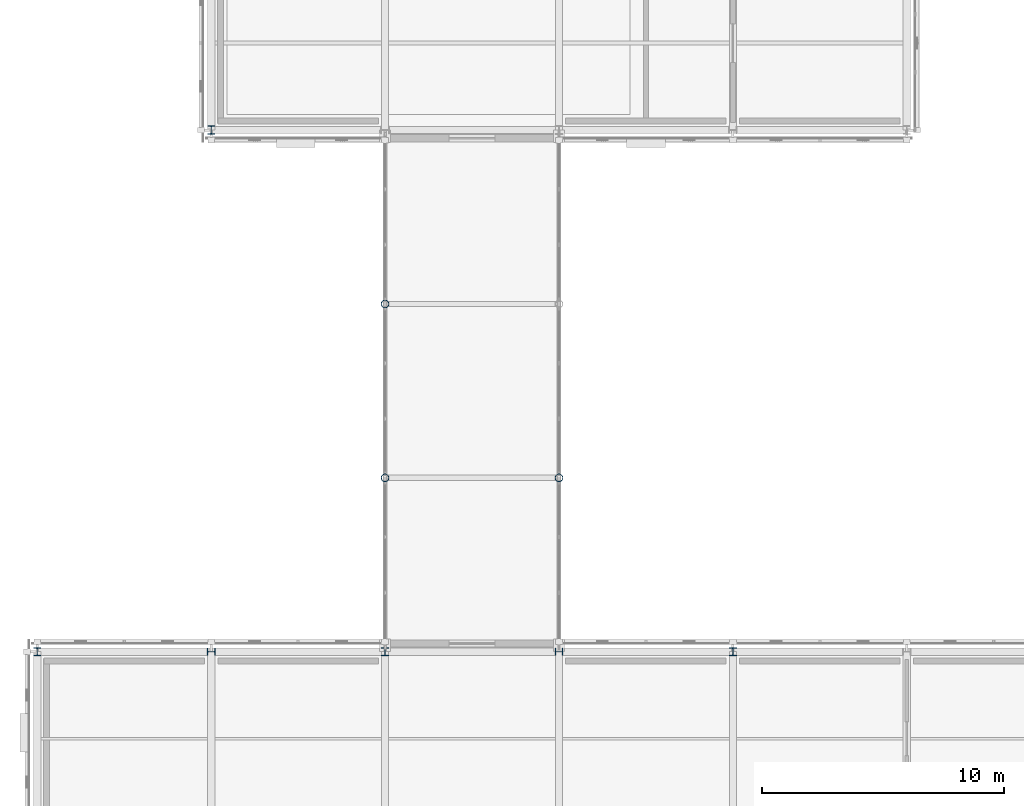
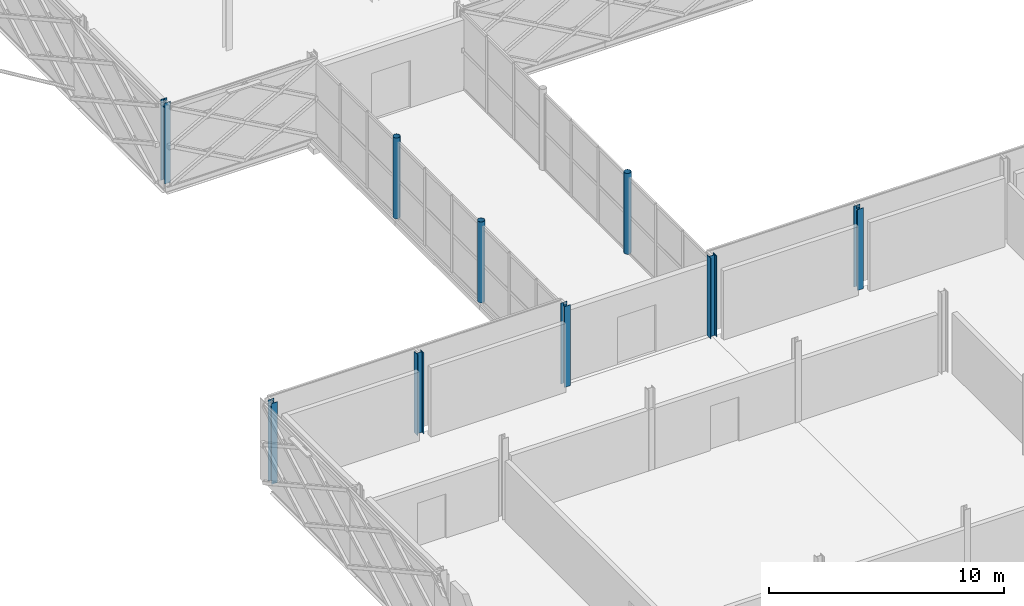
# One storey, part 3 of 146: 9 columns.
"""IFC4 building model written with IfcOpenShell, lengths in metres."""

from ifc_helpers import new_model, si_unit, direction, frame, origin, origin_2d, place, context, subcontext, project, spatial, hollow_circle, i_section, extrude, material, material_profile, profile_set, type_object, element, save


model = new_model("IFC4")

# Units and contexts
model_context = context("Model", 3, precision=1e-05, world=origin(), true_north=direction((0.0, 1.0)))
body_context = subcontext(model_context, "Body", "Model", "MODEL_VIEW")
ifc_project = project(units=[si_unit("LENGTHUNIT", "METRE"), si_unit("AREAUNIT", "SQUARE_METRE"), si_unit("VOLUMEUNIT", "CUBIC_METRE"), si_unit("PLANEANGLEUNIT", "RADIAN"), si_unit("MASSUNIT", "GRAM", prefix="KILO")], contexts=[model_context])

# Site, building, storey
site_placement = place(None, origin())
site = spatial("IfcSite", under=ifc_project, at=site_placement, CompositionType="ELEMENT")
building_placement = place(site_placement, origin())
building = spatial("IfcBuilding", under=site, at=building_placement, Name="Zlatovets Crest Museum", CompositionType="ELEMENT")
storey_placement = place(building_placement, frame((0.0, 0.0, 4.5)))
storey = spatial("IfcBuildingStorey", under=building, at=storey_placement, Name="L01", CompositionType="ELEMENT", Elevation=4.5)

# Columns
ifc_material = material(Name="Structural steel S355J2", Category="steel")
ifc_material_profile_1 = material_profile(ifc_material, hollow_circle(Radius=0.161865234375, WallThickness=0.012451171875, at=origin_2d()), Name="CHS 323.9x12.5")
ifc_profile_set_1 = profile_set([ifc_material_profile_1], Name="Structural steel S355J2")
column_type_1 = type_object("IfcColumnType", Name="Col_C-13", PredefinedType="COLUMN", material=ifc_profile_set_1)
for number, where, z_axis, x_axis, name in (
    (1, (14.39990234375, 36.0, 0.0), (0.0, 0.0, 1.0), (1.0, 0.0, 0.0), "West Hillside Glazed Link Bridge Portal Column"),
    (2, (21.60009765625, 36.0, 0.0), (0.0, 0.0, 1.0), (1.0, 0.0, 0.0), "West Hillside Glazed Link Bridge Portal Column"),
    (3, (14.39990234375, 43.199951171875, 0.0), (0.0, 0.0, 1.0), (1.0, 0.0, 0.0), "West Hillside Glazed Link Bridge Portal Column"),
):
    element("IfcColumn", number, at=place(storey_placement, frame(where, z_axis=z_axis, x_axis=x_axis)), inside=storey, type_object=column_type_1, Name=name, PredefinedType="COLUMN", context=body_context, shape_type="SweptSolid", body=[
        extrude(hollow_circle(Radius=0.161865234375, WallThickness=0.012451171875, at=origin_2d()), origin(), (0.0, 0.0, 1.0), 4.199951171875),
    ])
ifc_material_profile_2 = material_profile(ifc_material, i_section(OverallWidth=0.300048828125, OverallDepth=0.340087890625, WebThickness=0.011962890625, FlangeThickness=0.021484375, FilletRadius=0.027099609375, at=origin_2d()), Name="HEB 340")
ifc_profile_set_2 = profile_set([ifc_material_profile_2], Name="Structural steel S355J2")
column_type_2 = type_object("IfcColumnType", Name="Col_C-15", PredefinedType="COLUMN", material=ifc_profile_set_2)
column_placement = place(storey_placement, frame((7.199951171875, 50.39990234375, 0.0), z_axis=(0.0, 0.0, 1.0), x_axis=(1.0, 0.0, 0.0)))
element("IfcColumn", 4, at=column_placement, inside=storey, type_object=column_type_2, Name="V4 L01 Column (7.2, 50.4)", PredefinedType="COLUMN", context=body_context, shape_type="SweptSolid", body=[
    extrude(i_section(OverallWidth=0.300048828125, OverallDepth=0.340087890625, WebThickness=0.011962890625, FlangeThickness=0.021484375, FilletRadius=0.027099609375, at=origin_2d()), origin(), (0.0, 0.0, 1.0), 4.199951171875),
])
ifc_material_profile_3 = material_profile(ifc_material, i_section(OverallWidth=0.300048828125, OverallDepth=0.320068359375, WebThickness=0.011474609375, FlangeThickness=0.0205078125, FilletRadius=0.027099609375, at=origin_2d()), Name="HEB 320")
ifc_profile_set_3 = profile_set([ifc_material_profile_3], Name="Structural steel S355J2")
column_type_3 = type_object("IfcColumnType", Name="Col_C-16", PredefinedType="COLUMN", material=ifc_profile_set_3)
for number, where, z_axis, x_axis, name in (
    (5, (0.0, 28.800048828125, 0.0), (0.0, 0.0, 1.0), (1.0, 0.0, 0.0), "V3 L01 Column (0.0, 28.8)"),
    (6, (7.199951171875, 28.800048828125, 0.0), (0.0, 0.0, 1.0), (0.0, 1.0, 0.0), "V3 L01 Column (7.2, 28.8)"),
    (7, (14.39990234375, 28.800048828125, 0.0), (0.0, 0.0, 1.0), (1.0, 0.0, 0.0), "V3 L01 Column (14.4, 28.8)"),
    (8, (21.60009765625, 28.800048828125, 0.0), (0.0, 0.0, 1.0), (0.0, 1.0, 0.0), "V3 L01 Column (21.6, 28.8)"),
    (9, (28.800048828125, 28.800048828125, 0.0), (0.0, 0.0, 1.0), (1.0, 0.0, 0.0), "V3 L01 Column (28.8, 28.8)"),
):
    element("IfcColumn", number, at=place(storey_placement, frame(where, z_axis=z_axis, x_axis=x_axis)), inside=storey, type_object=column_type_3, Name=name, PredefinedType="COLUMN", context=body_context, shape_type="SweptSolid", body=[
        extrude(i_section(OverallWidth=0.300048828125, OverallDepth=0.320068359375, WebThickness=0.011474609375, FlangeThickness=0.0205078125, FilletRadius=0.027099609375, at=origin_2d()), origin(), (0.0, 0.0, 1.0), 4.199951171875),
    ])

save(model, "model.ifc")
